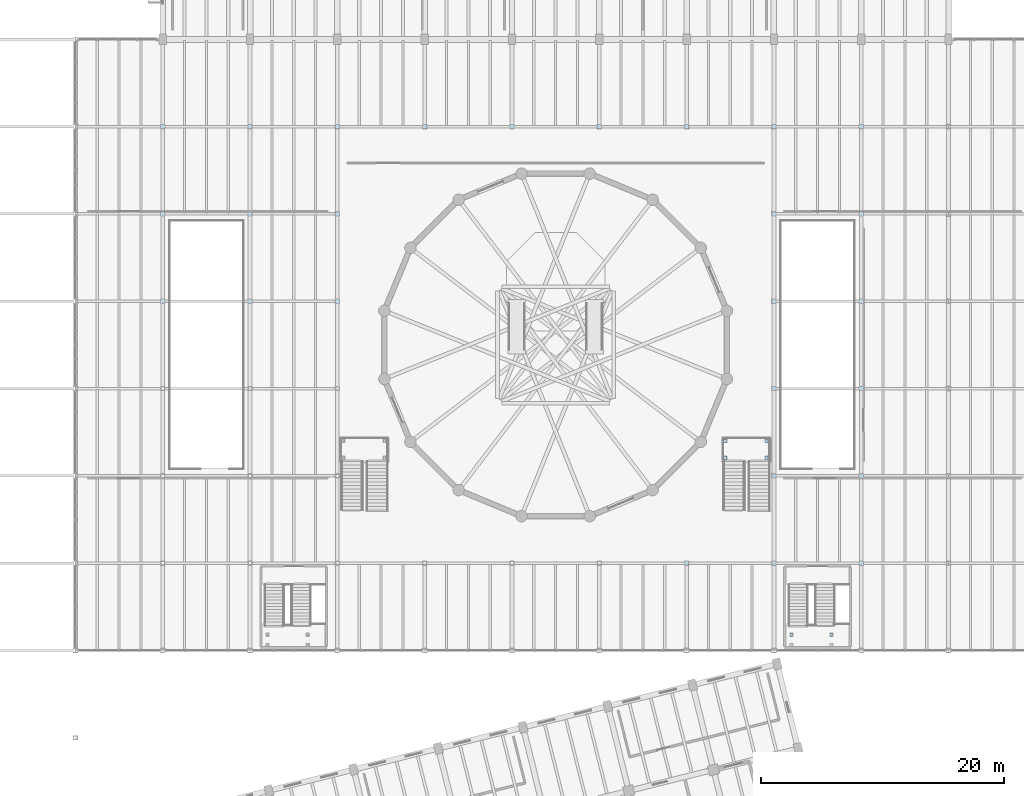
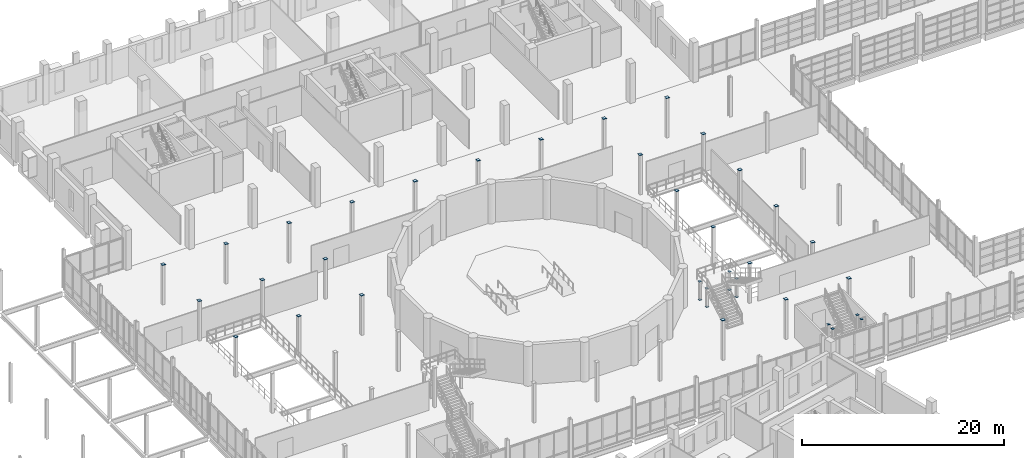
# One storey, part 59 of 77: 38 plates.
"""IFC4 building model written with IfcOpenShell, lengths in metres."""

from ifc_helpers import new_model, si_unit, direction, frame, origin, origin_2d, place, context, subcontext, project, spatial, rectangle, extrude, material, layer, layer_set, type_object, element, save


model = new_model("IFC4")

# Units and contexts
model_context = context("Model", 3, precision=1e-05, world=origin(), true_north=direction((0.0, 1.0)))
body_context = subcontext(model_context, "Body", "Model", "MODEL_VIEW")
ifc_project = project(units=[si_unit("LENGTHUNIT", "METRE"), si_unit("AREAUNIT", "SQUARE_METRE"), si_unit("VOLUMEUNIT", "CUBIC_METRE"), si_unit("PLANEANGLEUNIT", "RADIAN"), si_unit("MASSUNIT", "GRAM", prefix="KILO")], contexts=[model_context])

# Site, building, storey
site_placement = place(None, origin())
site = spatial("IfcSite", under=ifc_project, at=site_placement, CompositionType="ELEMENT")
building_placement = place(site_placement, origin())
building = spatial("IfcBuilding", under=site, at=building_placement, Name="Qiaolan Assembly House", CompositionType="ELEMENT")
storey_placement = place(building_placement, frame((0.0, 0.0, 5.39990234375)))
storey = spatial("IfcBuildingStorey", under=building, at=storey_placement, Name="L01", CompositionType="ELEMENT", Elevation=5.39990234375)

# Plates
ifc_material = material(Name="Steel Q355B", Category="steel")
ifc_layer = layer(ifc_material, 0.02001953125)
ifc_layer_set = layer_set([ifc_layer], Name="Steel Q355B")
plate_type = type_object("IfcPlateType", Name="PLT-CAP-STL-20", PredefinedType="SHEET", material=ifc_layer_set)
for number, where, z_axis, x_axis, name in (
    (1, (36.0, 64.800048828125, 4.7900390625), (0.0, 0.0, 1.0), (1.0, 0.0, 0.0), "NP-04 steel hollow-section seal cap plate 80"),
    (2, (36.0, 72.0, 4.7900390625), (0.0, 0.0, 1.0), (1.0, 0.0, 0.0), "NP-04 steel hollow-section seal cap plate 81"),
    (3, (36.0, 79.199951171875, 4.7900390625), (0.0, 0.0, 1.0), (1.0, 0.0, 0.0), "NP-04 steel hollow-section seal cap plate 82"),
    (4, (43.199951171875, 64.800048828125, 4.7900390625), (0.0, 0.0, 1.0), (1.0, 0.0, 0.0), "NP-04 steel hollow-section seal cap plate 86"),
    (5, (43.199951171875, 72.0, 4.7900390625), (0.0, 0.0, 1.0), (1.0, 0.0, 0.0), "NP-04 steel hollow-section seal cap plate 87"),
    (6, (43.199951171875, 79.199951171875, 4.7900390625), (0.0, 0.0, 1.0), (1.0, 0.0, 0.0), "NP-04 steel hollow-section seal cap plate 88"),
    (7, (50.39990234375, 64.800048828125, 4.7900390625), (0.0, 0.0, 1.0), (1.0, 0.0, 0.0), "NP-04 steel hollow-section seal cap plate 92"),
    (8, (50.39990234375, 72.0, 4.7900390625), (0.0, 0.0, 1.0), (1.0, 0.0, 0.0), "NP-04 steel hollow-section seal cap plate 93"),
    (9, (50.39990234375, 79.199951171875, 4.7900390625), (0.0, 0.0, 1.0), (1.0, 0.0, 0.0), "NP-04 steel hollow-section seal cap plate 94"),
    (10, (57.60009765625, 79.199951171875, 4.7900390625), (0.0, 0.0, 1.0), (1.0, 0.0, 0.0), "NP-04 steel hollow-section seal cap plate 96"),
    (11, (64.800048828125, 79.199951171875, 4.7900390625), (0.0, 0.0, 1.0), (1.0, 0.0, 0.0), "NP-04 steel hollow-section seal cap plate 98"),
    (12, (72.0, 79.199951171875, 4.7900390625), (0.0, 0.0, 1.0), (1.0, 0.0, 0.0), "NP-04 steel hollow-section seal cap plate 100"),
    (13, (79.199951171875, 43.199951171875, 4.7900390625), (0.0, 0.0, 1.0), (1.0, 0.0, 0.0), "NP-04 steel hollow-section seal cap plate 101"),
    (14, (79.199951171875, 79.199951171875, 4.7900390625), (0.0, 0.0, 1.0), (1.0, 0.0, 0.0), "NP-04 steel hollow-section seal cap plate 102"),
    (15, (86.39990234375, 43.199951171875, 4.7900390625), (0.0, 0.0, 1.0), (1.0, 0.0, 0.0), "NP-04 steel hollow-section seal cap plate 103"),
    (16, (86.39990234375, 50.39990234375, 4.7900390625), (0.0, 0.0, 1.0), (1.0, 0.0, 0.0), "NP-04 steel hollow-section seal cap plate 104"),
    (17, (86.39990234375, 57.60009765625, 4.7900390625), (0.0, 0.0, 1.0), (1.0, 0.0, 0.0), "NP-04 steel hollow-section seal cap plate 105"),
    (18, (86.39990234375, 64.800048828125, 4.7900390625), (0.0, 0.0, 1.0), (1.0, 0.0, 0.0), "NP-04 steel hollow-section seal cap plate 106"),
    (19, (86.39990234375, 72.0, 4.7900390625), (0.0, 0.0, 1.0), (1.0, 0.0, 0.0), "NP-04 steel hollow-section seal cap plate 107"),
    (20, (86.39990234375, 79.199951171875, 4.7900390625), (0.0, 0.0, 1.0), (1.0, 0.0, 0.0), "NP-04 steel hollow-section seal cap plate 108"),
    (21, (93.60009765625, 43.199951171875, 4.7900390625), (0.0, 0.0, 1.0), (1.0, 0.0, 0.0), "NP-04 steel hollow-section seal cap plate 109"),
    (22, (93.60009765625, 50.39990234375, 4.7900390625), (0.0, 0.0, 1.0), (1.0, 0.0, 0.0), "NP-04 steel hollow-section seal cap plate 110"),
    (23, (93.60009765625, 57.60009765625, 4.7900390625), (0.0, 0.0, 1.0), (1.0, 0.0, 0.0), "NP-04 steel hollow-section seal cap plate 111"),
    (24, (93.60009765625, 64.800048828125, 4.7900390625), (0.0, 0.0, 1.0), (1.0, 0.0, 0.0), "NP-04 steel hollow-section seal cap plate 112"),
    (25, (93.60009765625, 72.0, 4.7900390625), (0.0, 0.0, 1.0), (1.0, 0.0, 0.0), "NP-04 steel hollow-section seal cap plate 113"),
    (26, (93.60009765625, 79.199951171875, 4.7900390625), (0.0, 0.0, 1.0), (1.0, 0.0, 0.0), "NP-04 steel hollow-section seal cap plate 114"),
):
    element("IfcPlate", number, at=place(storey_placement, frame(where, z_axis=z_axis, x_axis=x_axis)), inside=storey, type_object=plate_type, Name=name, PredefinedType="SHEET", context=body_context, shape_type="SweptSolid", body=[
        extrude(rectangle(XDim=0.360107421875, YDim=0.360107421875, at=origin_2d()), origin(), (0.0, 0.0, 1.0), 0.02001953125),
    ])
for number, where, z_axis, x_axis, name in (
    (27, (82.3798828125, 51.889892578125, -0.010009765625), (0.0, 0.0, 1.0), (1.0, 0.0, 0.0), "NP-04 steel hollow-section seal cap plate 333"),
    (28, (82.3798828125, 51.889892578125, 2.210205078125), (0.0, 0.0, 1.0), (1.0, 0.0, 0.0), "NP-04 steel hollow-section seal cap plate 334"),
    (29, (85.780029296875, 51.889892578125, -0.010009765625), (0.0, 0.0, 1.0), (1.0, 0.0, 0.0), "NP-04 steel hollow-section seal cap plate 337"),
    (30, (85.780029296875, 51.889892578125, 2.210205078125), (0.0, 0.0, 1.0), (1.0, 0.0, 0.0), "NP-04 steel hollow-section seal cap plate 338"),
    (31, (82.3798828125, 53.2900390625, -0.010009765625), (0.0, 0.0, 1.0), (1.0, 0.0, 0.0), "NP-04 steel hollow-section seal cap plate 341"),
    (32, (82.3798828125, 53.2900390625, 2.210205078125), (0.0, 0.0, 1.0), (1.0, 0.0, 0.0), "NP-04 steel hollow-section seal cap plate 342"),
    (33, (85.780029296875, 53.2900390625, -0.010009765625), (0.0, 0.0, 1.0), (1.0, 0.0, 0.0), "NP-04 steel hollow-section seal cap plate 345"),
    (34, (85.780029296875, 53.2900390625, 2.210205078125), (0.0, 0.0, 1.0), (1.0, 0.0, 0.0), "NP-04 steel hollow-section seal cap plate 346"),
    (35, (87.85009765625, 36.449951171875, 4.7900390625), (0.0, 0.0, 1.0), (1.0, 0.0, 0.0), "NP-04 steel hollow-section seal cap plate 367"),
    (36, (91.14990234375, 36.449951171875, 4.7900390625), (0.0, 0.0, 1.0), (1.0, 0.0, 0.0), "NP-04 steel hollow-section seal cap plate 371"),
    (37, (87.85009765625, 37.300048828125, 4.7900390625), (0.0, 0.0, 1.0), (1.0, 0.0, 0.0), "NP-04 steel hollow-section seal cap plate 375"),
    (38, (91.14990234375, 37.300048828125, 4.7900390625), (0.0, 0.0, 1.0), (1.0, 0.0, 0.0), "NP-04 steel hollow-section seal cap plate 379"),
):
    element("IfcPlate", number, at=place(storey_placement, frame(where, z_axis=z_axis, x_axis=x_axis)), inside=storey, type_object=plate_type, Name=name, PredefinedType="SHEET", context=body_context, shape_type="SweptSolid", body=[
        extrude(rectangle(XDim=0.260009765625, YDim=0.260009765625, at=origin_2d()), origin(), (0.0, 0.0, 1.0), 0.02001953125),
    ])

save(model, "model.ifc")
